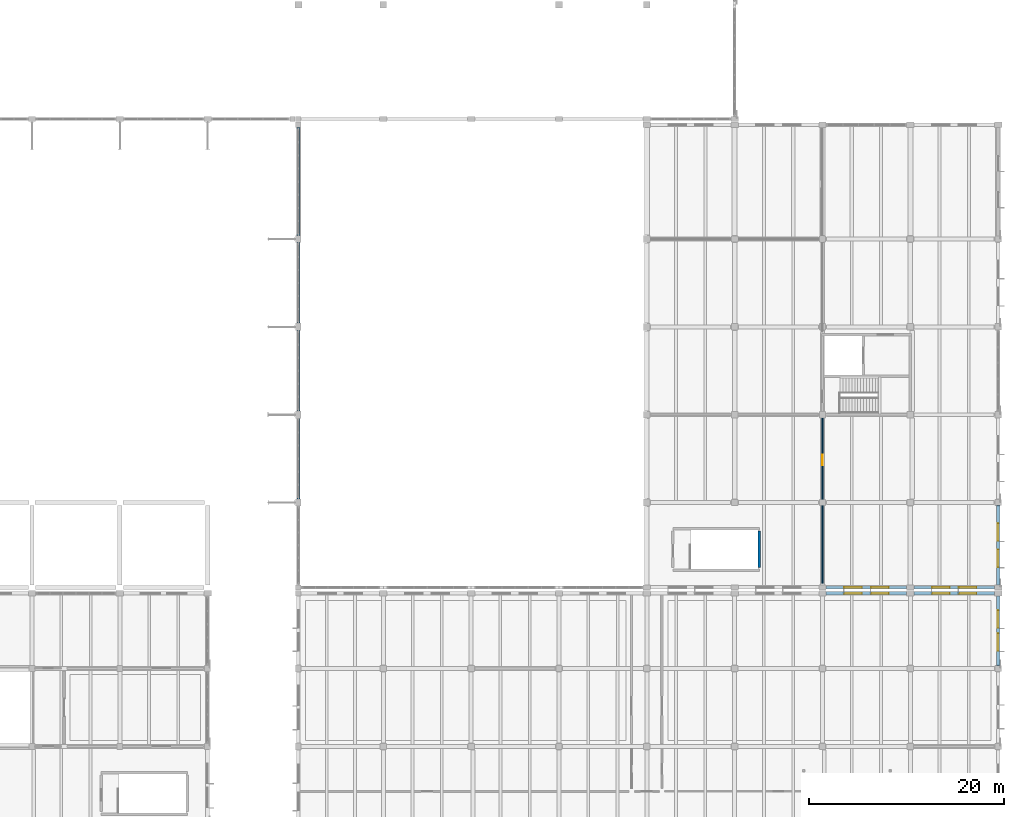
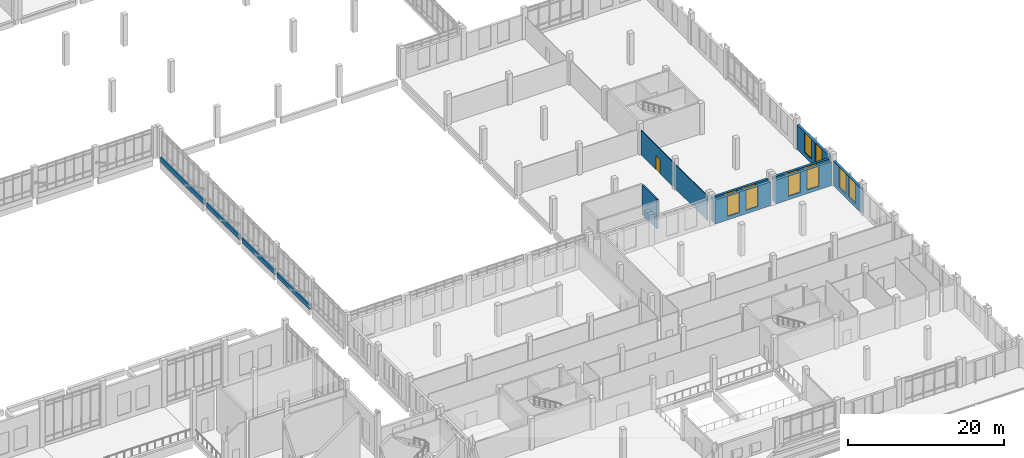
# One storey, part 88 of 110: 12 walls, 12 windows, 1 door, 13 openings.
"""IFC4 building model written with IfcOpenShell, lengths in metres."""

from ifc_helpers import new_model, si_unit, direction, frame, frame_2d, origin, place, context, subcontext, project, spatial, rectangle, extrude, material, layer, layer_set, type_object, element, fill, save


model = new_model("IFC4")

# Units and contexts
model_context = context("Model", 3, precision=1e-05, world=origin(), true_north=direction((0.0, 1.0)))
body_context = subcontext(model_context, "Body", "Model", "MODEL_VIEW")
ifc_project = project(units=[si_unit("LENGTHUNIT", "METRE"), si_unit("AREAUNIT", "SQUARE_METRE"), si_unit("VOLUMEUNIT", "CUBIC_METRE"), si_unit("PLANEANGLEUNIT", "RADIAN"), si_unit("MASSUNIT", "GRAM", prefix="KILO")], contexts=[model_context])

# Site, building, storey
site_placement = place(None, origin())
site = spatial("IfcSite", under=ifc_project, at=site_placement, CompositionType="ELEMENT")
building_placement = place(site_placement, origin())
building = spatial("IfcBuilding", under=site, at=building_placement, Name="Zacnel Wholesale Market", CompositionType="ELEMENT")
storey_placement = place(building_placement, frame((0.0, 0.0, 6.300048828125)))
storey = spatial("IfcBuildingStorey", under=building, at=storey_placement, Name="L02", CompositionType="ELEMENT", Elevation=6.300048828125)

# Walls
ifc_material_1 = material(Name="Concrete C40/50", Category="concrete")
ifc_layer_1 = layer(ifc_material_1, 0.25)
ifc_layer_set_1 = layer_set([ifc_layer_1], Name="Concrete C40/50")
wall_type_1 = type_object("IfcWallType", Name="WL-CORE-SW250", PredefinedType="SOLIDWALL", material=ifc_layer_set_1)
wall_1_placement = place(storey_placement, frame((191.52490234375, 50.324951171875, 0.0), z_axis=(0.0, 0.0, 1.0), x_axis=(0.0, 1.0, 0.0)))
element("IfcWall", 1, at=wall_1_placement, inside=storey, type_object=wall_type_1, Name="Stair ST-22 east enclosure wall L02", PredefinedType="SOLIDWALL", context=body_context, shape_type="SweptSolid", body=[
    extrude(rectangle(XDim=3.75, YDim=0.25, at=frame_2d((1.875, 0.0))), origin(), (0.0, 0.0, 1.0), 4.599853515625),
])
ifc_material_2 = material(Name="Precast concrete C40/50 (Cancun limestone aggregate)", Category="masonry")
ifc_layer_2 = layer(ifc_material_2, 0.300048828125)
ifc_layer_set_2 = layer_set([ifc_layer_2], Name="Precast concrete C40/50 (Cancun limestone aggregate)")
wall_type_2 = type_object("IfcWallType", Name="WL-EXT-LIME-300", PredefinedType="SOLIDWALL", material=ifc_layer_set_2)
for number, where, z_axis, x_axis, name in (
    (2, (144.300048828125, 57.375, -0.300048828125), (0.0, 0.0, 1.0), (0.0, 1.0, 0.0), "Curtain-wall limestone plinth L02-0042"),
    (3, (144.300048828125, 66.375, -0.300048828125), (0.0, 0.0, 1.0), (0.0, 1.0, 0.0), "Curtain-wall limestone plinth L02-0043"),
    (4, (144.300048828125, 75.375, -0.300048828125), (0.0, 0.0, 1.0), (0.0, 1.0, 0.0), "Curtain-wall limestone plinth L02-0044"),
):
    element("IfcWall", number, at=place(storey_placement, frame(where, z_axis=z_axis, x_axis=x_axis)), inside=storey, type_object=wall_type_2, Name=name, PredefinedType="SOLIDWALL", context=body_context, shape_type="SweptSolid", body=[
        extrude(rectangle(XDim=8.25, YDim=0.300048828125, at=frame_2d((4.125, 0.0))), origin(), (0.0, 0.0, 1.0), 0.75),
    ])
wall_2_placement = place(storey_placement, frame((144.300048828125, 84.375, -0.300048828125), z_axis=(0.0, 0.0, 1.0), x_axis=(0.0, 1.0, 0.0)))
element("IfcWall", 5, at=wall_2_placement, inside=storey, type_object=wall_type_2, Name="Curtain-wall limestone plinth L02-0045", PredefinedType="SOLIDWALL", context=body_context, shape_type="SweptSolid", body=[
    extrude(rectangle(XDim=11.050048828125, YDim=0.300048828125, at=frame_2d((5.52490234375, 0.0))), origin(), (0.0, 0.0, 1.0), 0.75),
])

# Wall, openings, windows
ifc_material_3 = material(Name="Precast concrete C40/50 (Cancun limestone aggregate)", Category="masonry")
ifc_layer_3 = layer(ifc_material_3, 0.340087890625)
ifc_layer_set_3 = layer_set([ifc_layer_3], Name="Precast concrete C40/50 (Cancun limestone aggregate)")
wall_type_3 = type_object("IfcWallType", Name="WL-EXT-LIME-340", PredefinedType="SOLIDWALL", material=ifc_layer_set_3)
wall_3_placement = place(storey_placement, frame((198.375, 47.699951171875, 0.0), z_axis=(0.0, 0.0, 1.0), x_axis=(1.0, 0.0, 0.0)))
wall_3 = element("IfcWall", 6, at=wall_3_placement, inside=storey, type_object=wall_type_3, Name="Exterior wall L02-0269", PredefinedType="SOLIDWALL", context=body_context, shape_type="SweptSolid", body=[
    extrude(rectangle(XDim=8.25, YDim=0.340087890625, at=frame_2d((4.125, 0.0))), origin(), (0.0, 0.0, 1.0), 3.739990234375),
])
opening_1_placement = place(wall_3_placement, frame((1.85009765625, 0.0, 0.550048828125)))
opening_1 = element("IfcOpeningElement", 7, at=opening_1_placement, cuts=wall_3, Name="Opening W-03", PredefinedType="OPENING", context=body_context, shape_type="SweptSolid", body=[
    extrude(rectangle(XDim=1.800048828125, YDim=3.14990234375, at=frame_2d((0.89990234375, 1.574951171875))), frame((0.0, 0.179931640625, 0.0), z_axis=(0.0, -1.0, 0.0), x_axis=(1.0, 0.0, 0.0)), (0.0, 0.0, 1.0), 0.360107421875),
])
opening_2_placement = place(wall_3_placement, frame((4.60009765625, 0.0, 0.550048828125)))
opening_2 = element("IfcOpeningElement", 8, at=opening_2_placement, cuts=wall_3, Name="Opening W-03", PredefinedType="OPENING", context=body_context, shape_type="SweptSolid", body=[
    extrude(rectangle(XDim=1.800048828125, YDim=3.14990234375, at=frame_2d((0.89990234375, 1.574951171875))), frame((0.0, 0.179931640625, 0.0), z_axis=(0.0, -1.0, 0.0), x_axis=(1.0, 0.0, 0.0)), (0.0, 0.0, 1.0), 0.360107421875),
])
ifc_material_4 = material(Name="Laminated hurricane-impact low-E insulated glass", Category="glass")
window_type = type_object("IfcWindowType", Name="WIN-DEC-1800X3150", PartitioningType="DOUBLE_PANEL_VERTICAL", PredefinedType="WINDOW", material=ifc_material_4)
window_1_placement = place(opening_1_placement, origin())
window_1 = element("IfcWindow", 9, at=window_1_placement, inside=storey, type_object=window_type, Name="Window L02-0273", OverallHeight=3.14990234375, OverallWidth=1.800048828125, PartitioningType="DOUBLE_PANEL_VERTICAL", PredefinedType="WINDOW", context=body_context, shape_type="SweptSolid", body=[
    extrude(rectangle(XDim=1.800048828125, YDim=3.14990234375, at=frame_2d((0.89990234375, 1.574951171875))), frame((0.0, 0.030029296875, 0.0), z_axis=(0.0, -1.0, 0.0), x_axis=(1.0, 0.0, 0.0)), (0.0, 0.0, 1.0), 0.06005859375),
])
fill(opening_1, window_1)
window_2_placement = place(opening_2_placement, origin())
window_2 = element("IfcWindow", 10, at=window_2_placement, inside=storey, type_object=window_type, Name="Window L02-0274", OverallHeight=3.14990234375, OverallWidth=1.800048828125, PartitioningType="DOUBLE_PANEL_VERTICAL", PredefinedType="WINDOW", context=body_context, shape_type="SweptSolid", body=[
    extrude(rectangle(XDim=1.800048828125, YDim=3.14990234375, at=frame_2d((0.89990234375, 1.574951171875))), frame((0.0, 0.030029296875, 0.0), z_axis=(0.0, -1.0, 0.0), x_axis=(1.0, 0.0, 0.0)), (0.0, 0.0, 1.0), 0.06005859375),
])
fill(opening_2, window_2)

wall_4_placement = place(storey_placement, frame((207.375, 47.699951171875, 0.0), z_axis=(0.0, 0.0, 1.0), x_axis=(1.0, 0.0, 0.0)))
wall_4 = element("IfcWall", 11, at=wall_4_placement, inside=storey, type_object=wall_type_3, Name="Exterior wall L02-0270", PredefinedType="SOLIDWALL", context=body_context, shape_type="SweptSolid", body=[
    extrude(rectangle(XDim=8.25, YDim=0.340087890625, at=frame_2d((4.125, 0.0))), origin(), (0.0, 0.0, 1.0), 3.739990234375),
])
opening_3_placement = place(wall_4_placement, frame((1.85009765625, 0.0, 0.550048828125)))
opening_3 = element("IfcOpeningElement", 12, at=opening_3_placement, cuts=wall_4, Name="Opening W-03", PredefinedType="OPENING", context=body_context, shape_type="SweptSolid", body=[
    extrude(rectangle(XDim=1.800048828125, YDim=3.14990234375, at=frame_2d((0.89990234375, 1.574951171875))), frame((0.0, 0.179931640625, 0.0), z_axis=(0.0, -1.0, 0.0), x_axis=(1.0, 0.0, 0.0)), (0.0, 0.0, 1.0), 0.360107421875),
])
opening_4_placement = place(wall_4_placement, frame((4.60009765625, 0.0, 0.550048828125)))
opening_4 = element("IfcOpeningElement", 13, at=opening_4_placement, cuts=wall_4, Name="Opening W-03", PredefinedType="OPENING", context=body_context, shape_type="SweptSolid", body=[
    extrude(rectangle(XDim=1.800048828125, YDim=3.14990234375, at=frame_2d((0.89990234375, 1.574951171875))), frame((0.0, 0.179931640625, 0.0), z_axis=(0.0, -1.0, 0.0), x_axis=(1.0, 0.0, 0.0)), (0.0, 0.0, 1.0), 0.360107421875),
])
window_3_placement = place(opening_3_placement, origin())
window_3 = element("IfcWindow", 14, at=window_3_placement, inside=storey, type_object=window_type, Name="Window L02-0275", OverallHeight=3.14990234375, OverallWidth=1.800048828125, PartitioningType="DOUBLE_PANEL_VERTICAL", PredefinedType="WINDOW", context=body_context, shape_type="SweptSolid", body=[
    extrude(rectangle(XDim=1.800048828125, YDim=3.14990234375, at=frame_2d((0.89990234375, 1.574951171875))), frame((0.0, 0.030029296875, 0.0), z_axis=(0.0, -1.0, 0.0), x_axis=(1.0, 0.0, 0.0)), (0.0, 0.0, 1.0), 0.06005859375),
])
fill(opening_3, window_3)
window_4_placement = place(opening_4_placement, origin())
window_4 = element("IfcWindow", 15, at=window_4_placement, inside=storey, type_object=window_type, Name="Window L02-0276", OverallHeight=3.14990234375, OverallWidth=1.800048828125, PartitioningType="DOUBLE_PANEL_VERTICAL", PredefinedType="WINDOW", context=body_context, shape_type="SweptSolid", body=[
    extrude(rectangle(XDim=1.800048828125, YDim=3.14990234375, at=frame_2d((0.89990234375, 1.574951171875))), frame((0.0, 0.030029296875, 0.0), z_axis=(0.0, -1.0, 0.0), x_axis=(1.0, 0.0, 0.0)), (0.0, 0.0, 1.0), 0.06005859375),
])
fill(opening_4, window_4)

wall_5_placement = place(storey_placement, frame((216.0, 40.324951171875, 0.0), z_axis=(0.0, 0.0, 1.0), x_axis=(0.0, 1.0, 0.0)))
wall_5 = element("IfcWall", 16, at=wall_5_placement, inside=storey, type_object=wall_type_3, Name="Exterior wall L02-0282", PredefinedType="SOLIDWALL", context=body_context, shape_type="SweptSolid", body=[
    extrude(rectangle(XDim=7.10009765625, YDim=0.340087890625, at=frame_2d((3.550048828125, 0.0))), origin(), (0.0, 0.0, 1.0), 3.81005859375),
])
opening_5_placement = place(wall_5_placement, frame((1.467041015625, 0.0, 0.6201171875)))
opening_5 = element("IfcOpeningElement", 17, at=opening_5_placement, cuts=wall_5, Name="Opening W-03", PredefinedType="OPENING", context=body_context, shape_type="SweptSolid", body=[
    extrude(rectangle(XDim=1.800048828125, YDim=3.14990234375, at=frame_2d((0.89990234375, 1.574951171875))), frame((0.0, 0.179931640625, 0.0), z_axis=(0.0, -1.0, 0.0), x_axis=(1.0, 0.0, 0.0)), (0.0, 0.0, 1.0), 0.360107421875),
])
opening_6_placement = place(wall_5_placement, frame((3.8330078125, 0.0, 0.6201171875)))
opening_6 = element("IfcOpeningElement", 18, at=opening_6_placement, cuts=wall_5, Name="Opening W-03", PredefinedType="OPENING", context=body_context, shape_type="SweptSolid", body=[
    extrude(rectangle(XDim=1.800048828125, YDim=3.14990234375, at=frame_2d((0.89990234375, 1.574951171875))), frame((0.0, 0.179931640625, 0.0), z_axis=(0.0, -1.0, 0.0), x_axis=(1.0, 0.0, 0.0)), (0.0, 0.0, 1.0), 0.360107421875),
])
window_5_placement = place(opening_5_placement, origin())
window_5 = element("IfcWindow", 19, at=window_5_placement, inside=storey, type_object=window_type, Name="Window L02-0299", OverallHeight=3.14990234375, OverallWidth=1.800048828125, PartitioningType="DOUBLE_PANEL_VERTICAL", PredefinedType="WINDOW", context=body_context, shape_type="SweptSolid", body=[
    extrude(rectangle(XDim=1.800048828125, YDim=3.14990234375, at=frame_2d((0.89990234375, 1.574951171875))), frame((0.0, 0.030029296875, 0.0), z_axis=(0.0, -1.0, 0.0), x_axis=(1.0, 0.0, 0.0)), (0.0, 0.0, 1.0), 0.06005859375),
])
fill(opening_5, window_5)
window_6_placement = place(opening_6_placement, origin())
window_6 = element("IfcWindow", 20, at=window_6_placement, inside=storey, type_object=window_type, Name="Window L02-0300", OverallHeight=3.14990234375, OverallWidth=1.800048828125, PartitioningType="DOUBLE_PANEL_VERTICAL", PredefinedType="WINDOW", context=body_context, shape_type="SweptSolid", body=[
    extrude(rectangle(XDim=1.800048828125, YDim=3.14990234375, at=frame_2d((0.89990234375, 1.574951171875))), frame((0.0, 0.030029296875, 0.0), z_axis=(0.0, -1.0, 0.0), x_axis=(1.0, 0.0, 0.0)), (0.0, 0.0, 1.0), 0.06005859375),
])
fill(opening_6, window_6)

wall_6_placement = place(storey_placement, frame((198.375, 48.300048828125, 0.0), z_axis=(0.0, 0.0, 1.0), x_axis=(1.0, 0.0, 0.0)))
wall_6 = element("IfcWall", 21, at=wall_6_placement, inside=storey, type_object=wall_type_3, Name="Exterior wall L02-0300", PredefinedType="SOLIDWALL", context=body_context, shape_type="SweptSolid", body=[
    extrude(rectangle(XDim=8.25, YDim=0.340087890625, at=frame_2d((4.125, 0.0))), origin(), (0.0, 0.0, 1.0), 3.800048828125),
])
opening_7_placement = place(wall_6_placement, frame((1.85009765625, 0.0, 0.610107421875)))
opening_7 = element("IfcOpeningElement", 22, at=opening_7_placement, cuts=wall_6, Name="Opening W-03", PredefinedType="OPENING", context=body_context, shape_type="SweptSolid", body=[
    extrude(rectangle(XDim=1.800048828125, YDim=3.14990234375, at=frame_2d((0.89990234375, 1.574951171875))), frame((0.0, 0.179931640625, 0.0), z_axis=(0.0, -1.0, 0.0), x_axis=(1.0, 0.0, 0.0)), (0.0, 0.0, 1.0), 0.360107421875),
])
opening_8_placement = place(wall_6_placement, frame((4.60009765625, 0.0, 0.610107421875)))
opening_8 = element("IfcOpeningElement", 23, at=opening_8_placement, cuts=wall_6, Name="Opening W-03", PredefinedType="OPENING", context=body_context, shape_type="SweptSolid", body=[
    extrude(rectangle(XDim=1.800048828125, YDim=3.14990234375, at=frame_2d((0.89990234375, 1.574951171875))), frame((0.0, 0.179931640625, 0.0), z_axis=(0.0, -1.0, 0.0), x_axis=(1.0, 0.0, 0.0)), (0.0, 0.0, 1.0), 0.360107421875),
])
window_7_placement = place(opening_7_placement, origin())
window_7 = element("IfcWindow", 24, at=window_7_placement, inside=storey, type_object=window_type, Name="Window L02-0335", OverallHeight=3.14990234375, OverallWidth=1.800048828125, PartitioningType="DOUBLE_PANEL_VERTICAL", PredefinedType="WINDOW", context=body_context, shape_type="SweptSolid", body=[
    extrude(rectangle(XDim=1.800048828125, YDim=3.14990234375, at=frame_2d((0.89990234375, 1.574951171875))), frame((0.0, 0.030029296875, 0.0), z_axis=(0.0, -1.0, 0.0), x_axis=(1.0, 0.0, 0.0)), (0.0, 0.0, 1.0), 0.06005859375),
])
fill(opening_7, window_7)
window_8_placement = place(opening_8_placement, origin())
window_8 = element("IfcWindow", 25, at=window_8_placement, inside=storey, type_object=window_type, Name="Window L02-0336", OverallHeight=3.14990234375, OverallWidth=1.800048828125, PartitioningType="DOUBLE_PANEL_VERTICAL", PredefinedType="WINDOW", context=body_context, shape_type="SweptSolid", body=[
    extrude(rectangle(XDim=1.800048828125, YDim=3.14990234375, at=frame_2d((0.89990234375, 1.574951171875))), frame((0.0, 0.030029296875, 0.0), z_axis=(0.0, -1.0, 0.0), x_axis=(1.0, 0.0, 0.0)), (0.0, 0.0, 1.0), 0.06005859375),
])
fill(opening_8, window_8)

wall_7_placement = place(storey_placement, frame((207.375, 48.300048828125, 0.0), z_axis=(0.0, 0.0, 1.0), x_axis=(1.0, 0.0, 0.0)))
wall_7 = element("IfcWall", 26, at=wall_7_placement, inside=storey, type_object=wall_type_3, Name="Exterior wall L02-0301", PredefinedType="SOLIDWALL", context=body_context, shape_type="SweptSolid", body=[
    extrude(rectangle(XDim=8.25, YDim=0.340087890625, at=frame_2d((4.125, 0.0))), origin(), (0.0, 0.0, 1.0), 3.800048828125),
])
opening_9_placement = place(wall_7_placement, frame((1.85009765625, 0.0, 0.610107421875)))
opening_9 = element("IfcOpeningElement", 27, at=opening_9_placement, cuts=wall_7, Name="Opening W-03", PredefinedType="OPENING", context=body_context, shape_type="SweptSolid", body=[
    extrude(rectangle(XDim=1.800048828125, YDim=3.14990234375, at=frame_2d((0.89990234375, 1.574951171875))), frame((0.0, 0.179931640625, 0.0), z_axis=(0.0, -1.0, 0.0), x_axis=(1.0, 0.0, 0.0)), (0.0, 0.0, 1.0), 0.360107421875),
])
opening_10_placement = place(wall_7_placement, frame((4.60009765625, 0.0, 0.610107421875)))
opening_10 = element("IfcOpeningElement", 28, at=opening_10_placement, cuts=wall_7, Name="Opening W-03", PredefinedType="OPENING", context=body_context, shape_type="SweptSolid", body=[
    extrude(rectangle(XDim=1.800048828125, YDim=3.14990234375, at=frame_2d((0.89990234375, 1.574951171875))), frame((0.0, 0.179931640625, 0.0), z_axis=(0.0, -1.0, 0.0), x_axis=(1.0, 0.0, 0.0)), (0.0, 0.0, 1.0), 0.360107421875),
])
window_9_placement = place(opening_9_placement, origin())
window_9 = element("IfcWindow", 29, at=window_9_placement, inside=storey, type_object=window_type, Name="Window L02-0337", OverallHeight=3.14990234375, OverallWidth=1.800048828125, PartitioningType="DOUBLE_PANEL_VERTICAL", PredefinedType="WINDOW", context=body_context, shape_type="SweptSolid", body=[
    extrude(rectangle(XDim=1.800048828125, YDim=3.14990234375, at=frame_2d((0.89990234375, 1.574951171875))), frame((0.0, 0.030029296875, 0.0), z_axis=(0.0, -1.0, 0.0), x_axis=(1.0, 0.0, 0.0)), (0.0, 0.0, 1.0), 0.06005859375),
])
fill(opening_9, window_9)
window_10_placement = place(opening_10_placement, origin())
window_10 = element("IfcWindow", 30, at=window_10_placement, inside=storey, type_object=window_type, Name="Window L02-0338", OverallHeight=3.14990234375, OverallWidth=1.800048828125, PartitioningType="DOUBLE_PANEL_VERTICAL", PredefinedType="WINDOW", context=body_context, shape_type="SweptSolid", body=[
    extrude(rectangle(XDim=1.800048828125, YDim=3.14990234375, at=frame_2d((0.89990234375, 1.574951171875))), frame((0.0, 0.030029296875, 0.0), z_axis=(0.0, -1.0, 0.0), x_axis=(1.0, 0.0, 0.0)), (0.0, 0.0, 1.0), 0.06005859375),
])
fill(opening_10, window_10)

wall_8_placement = place(storey_placement, frame((216.0, 48.574951171875, 0.0), z_axis=(0.0, 0.0, 1.0), x_axis=(0.0, 1.0, 0.0)))
wall_8 = element("IfcWall", 31, at=wall_8_placement, inside=storey, type_object=wall_type_3, Name="Exterior wall L02-0305", PredefinedType="SOLIDWALL", context=body_context, shape_type="SweptSolid", body=[
    extrude(rectangle(XDim=8.10009765625, YDim=0.340087890625, at=frame_2d((4.050048828125, 0.0))), origin(), (0.0, 0.0, 1.0), 3.869873046875),
])
opening_11_placement = place(wall_8_placement, frame((1.800048828125, 0.0, 0.679931640625)))
opening_11 = element("IfcOpeningElement", 32, at=opening_11_placement, cuts=wall_8, Name="Opening W-03", PredefinedType="OPENING", context=body_context, shape_type="SweptSolid", body=[
    extrude(rectangle(XDim=1.800048828125, YDim=3.14990234375, at=frame_2d((0.89990234375, 1.574951171875))), frame((0.0, 0.179931640625, 0.0), z_axis=(0.0, -1.0, 0.0), x_axis=(1.0, 0.0, 0.0)), (0.0, 0.0, 1.0), 0.360107421875),
])
opening_12_placement = place(wall_8_placement, frame((4.5, 0.0, 0.679931640625)))
opening_12 = element("IfcOpeningElement", 33, at=opening_12_placement, cuts=wall_8, Name="Opening W-03", PredefinedType="OPENING", context=body_context, shape_type="SweptSolid", body=[
    extrude(rectangle(XDim=1.800048828125, YDim=3.14990234375, at=frame_2d((0.89990234375, 1.574951171875))), frame((0.0, 0.179931640625, 0.0), z_axis=(0.0, -1.0, 0.0), x_axis=(1.0, 0.0, 0.0)), (0.0, 0.0, 1.0), 0.360107421875),
])
window_11_placement = place(opening_11_placement, origin())
window_11 = element("IfcWindow", 34, at=window_11_placement, inside=storey, type_object=window_type, Name="Window L02-0345", OverallHeight=3.14990234375, OverallWidth=1.800048828125, PartitioningType="DOUBLE_PANEL_VERTICAL", PredefinedType="WINDOW", context=body_context, shape_type="SweptSolid", body=[
    extrude(rectangle(XDim=1.800048828125, YDim=3.14990234375, at=frame_2d((0.89990234375, 1.574951171875))), frame((0.0, 0.030029296875, 0.0), z_axis=(0.0, -1.0, 0.0), x_axis=(1.0, 0.0, 0.0)), (0.0, 0.0, 1.0), 0.06005859375),
])
fill(opening_11, window_11)
window_12_placement = place(opening_12_placement, origin())
window_12 = element("IfcWindow", 35, at=window_12_placement, inside=storey, type_object=window_type, Name="Window L02-0346", OverallHeight=3.14990234375, OverallWidth=1.800048828125, PartitioningType="DOUBLE_PANEL_VERTICAL", PredefinedType="WINDOW", context=body_context, shape_type="SweptSolid", body=[
    extrude(rectangle(XDim=1.800048828125, YDim=3.14990234375, at=frame_2d((0.89990234375, 1.574951171875))), frame((0.0, 0.030029296875, 0.0), z_axis=(0.0, -1.0, 0.0), x_axis=(1.0, 0.0, 0.0)), (0.0, 0.0, 1.0), 0.06005859375),
])
fill(opening_12, window_12)

# Wall, opening, door
ifc_material_5 = material(Name="Moisture-resistant gypsum board partition")
ifc_layer_4 = layer(ifc_material_5, 0.110107421875)
ifc_layer_set_4 = layer_set([ifc_layer_4], Name="Moisture-resistant gypsum board partition")
wall_type_4 = type_object("IfcWallType", Name="WL-PART-GYP110", PredefinedType="PARTITIONING", material=ifc_layer_set_4)
wall_9_placement = place(storey_placement, frame((198.0, 48.75, 0.0), z_axis=(0.0, 0.0, 1.0), x_axis=(0.0, 1.0, 0.0)))
wall_9 = element("IfcWall", 36, at=wall_9_placement, inside=storey, type_object=wall_type_4, Name="Interior partition L02-0103", PredefinedType="PARTITIONING", context=body_context, shape_type="SweptSolid", body=[
    extrude(rectangle(XDim=16.949951171875, YDim=0.110107421875, at=frame_2d((8.47509765625, 0.0))), origin(), (0.0, 0.0, 1.0), 3.820068359375),
])
opening_13_placement = place(wall_9_placement, frame((12.06005859375, 0.0, 0.0)))
opening_13 = element("IfcOpeningElement", 37, at=opening_13_placement, cuts=wall_9, Name="Opening ID-10", PredefinedType="OPENING", context=body_context, shape_type="SweptSolid", body=[
    extrude(rectangle(XDim=1.080078125, YDim=2.14990234375, at=frame_2d((0.5400390625, 1.074951171875))), frame((0.0, 0.06494140625, 0.0), z_axis=(0.0, -1.0, 0.0), x_axis=(1.0, 0.0, 0.0)), (0.0, 0.0, 1.0), 0.130126953125),
])
ifc_material_6 = material(Name="Galvanized steel", Category="steel")
door_type = type_object("IfcDoorType", Name="DR-STR-SGL-1080", OperationType="NOTDEFINED", PredefinedType="DOOR", material=ifc_material_6)
door_placement = place(opening_13_placement, origin())
door = element("IfcDoor", 38, at=door_placement, inside=storey, type_object=door_type, Name="Interior door L02-0083", OperationType="SINGLE_SWING_LEFT", OverallHeight=2.14990234375, OverallWidth=1.080078125, PredefinedType="DOOR", context=body_context, shape_type="SweptSolid", body=[
    extrude(rectangle(XDim=1.080078125, YDim=2.14990234375, at=frame_2d((0.5400390625, 1.074951171875))), frame((0.0, 0.02490234375, 0.0), z_axis=(0.0, -1.0, 0.0), x_axis=(1.0, 0.0, 0.0)), (0.0, 0.0, 1.0), 0.050048828125),
])
fill(opening_13, door)

save(model, "model.ifc")
